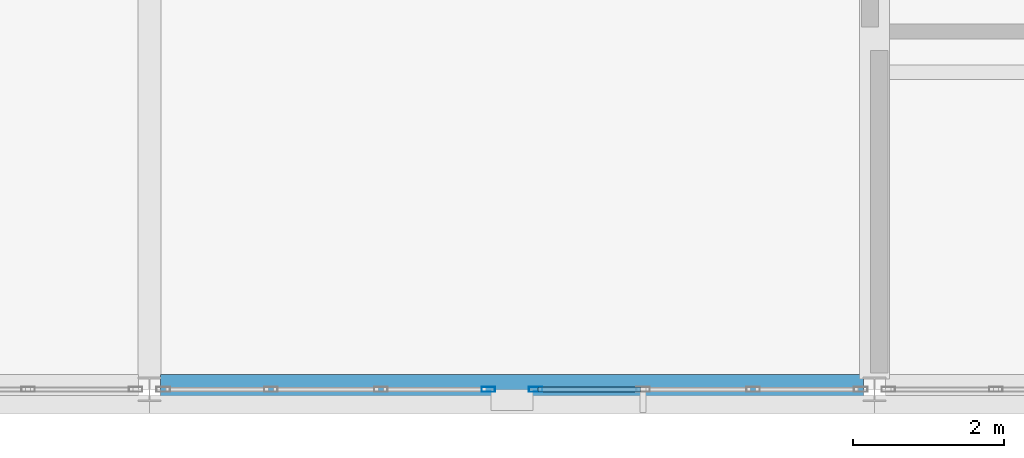
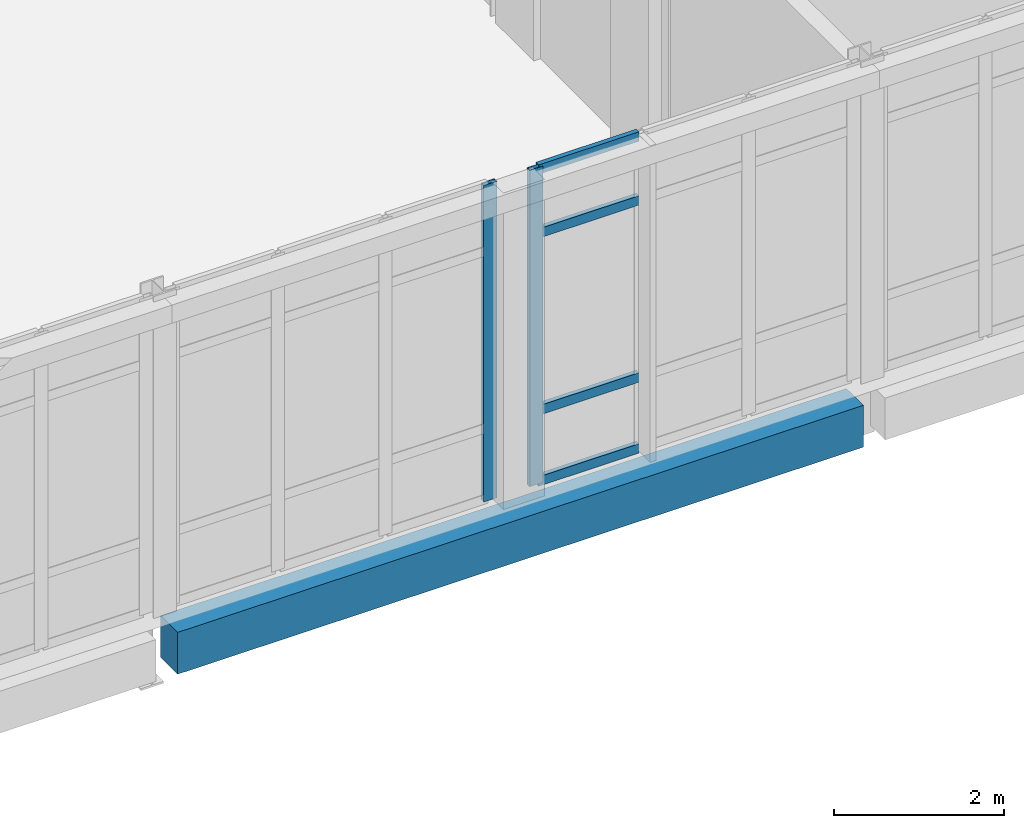
# One storey, part 8 of 88: 6 members, 1 beam, 2 elements without a shape of their own.
"""IFC4 building model written with IfcOpenShell, lengths in metres."""

import ifcopenshell
import ifcopenshell.guid

model = None  # the IFC model being written
_history = None  # IfcOwnerHistory: only IFC2X3 demands one
_inside = {}  # id of a spatial element -> (the spatial element, [elements in it])
_under = {}  # id of a project, library or spatial element -> (it, [spatial elements below it])
_declared = {}  # id of a project -> (the project, [libraries it declares])
_typed = {}  # id of a type object -> (the type object, [elements of that type])
_made_of = {}  # id of a material, layer set ... -> (it, [elements and type objects made of it])


def new_model(schema):
    """Start an empty IFC model of exactly this schema.

    Asked for "IFC4X3", IfcOpenShell would pick the latest addendum, in which some entities
    have other attributes; the version numbers below select the first issue.
    IFC2X3 requires an IfcOwnerHistory on every rooted entity: one is made here for all.
    """
    global model, _history
    if schema == "IFC4X3":
        model = ifcopenshell.file(schema_version=(4, 3, 0, 0))
    else:
        model = ifcopenshell.file(schema=schema)
    _inside.clear()
    _under.clear()
    _declared.clear()
    _typed.clear()
    _made_of.clear()
    _history = None
    if model.schema == "IFC2X3":
        org = make("IfcOrganization", Name="unknown")
        user = make(
            "IfcPersonAndOrganization",
            ThePerson=make("IfcPerson", FamilyName="unknown"),
            TheOrganization=org,
        )
        app = make(
            "IfcApplication",
            ApplicationDeveloper=org,
            Version="unknown",
            ApplicationFullName="unknown",
            ApplicationIdentifier="unknown",
        )
        _history = make(
            "IfcOwnerHistory",
            OwningUser=user,
            OwningApplication=app,
            ChangeAction="ADDED",
            CreationDate=0,
        )
    return model


def make(cls, **values):
    """One entity of the class cls with the attributes given. An attribute that is None is left unset."""
    return model.create_entity(
        cls, **{name: value for name, value in values.items() if value is not None}
    )


def rooted(cls, **values):
    """An entity with a GlobalId (a new one), such as an element, a storey or a relation."""
    return make(cls, GlobalId=ifcopenshell.guid.new(), OwnerHistory=_history, **values)


def si_unit(unit_type, name, prefix=None):
    """IfcSIUnit, for example si_unit("LENGTHUNIT", "METRE", prefix="MILLI")."""
    return make("IfcSIUnit", UnitType=unit_type, Prefix=prefix, Name=name)


def assignment(units):
    """IfcUnitAssignment: the units of a project."""
    return None if units is None else make("IfcUnitAssignment", Units=units)


def point(xyz):
    """IfcCartesianPoint."""
    return None if xyz is None else make("IfcCartesianPoint", Coordinates=xyz)


def direction(xyz):
    """IfcDirection."""
    return None if xyz is None else make("IfcDirection", DirectionRatios=xyz)


def frame(location, z_axis=None, x_axis=None):
    """IfcAxis2Placement3D, a coordinate frame: its origin and axes. An axis left out is left unset."""
    return make(
        "IfcAxis2Placement3D",
        Location=point(location),
        Axis=direction(z_axis),
        RefDirection=direction(x_axis),
    )


def frame_2d(location, x_axis=None):
    """IfcAxis2Placement2D, a coordinate frame in the plane: its origin and x axis."""
    return make(
        "IfcAxis2Placement2D", Location=point(location), RefDirection=direction(x_axis)
    )


def origin():
    """The frame at (0, 0, 0) with its axes left unset."""
    return frame((0.0, 0.0, 0.0))


def origin_2d():
    """The frame at (0, 0) in the plane with its x axis left unset."""
    return frame_2d((0.0, 0.0))


def place(relative_to, where):
    """IfcLocalPlacement: puts the frame where relative to a parent placement (None: the world)."""
    return make(
        "IfcLocalPlacement", PlacementRelTo=relative_to, RelativePlacement=where
    )


def context(
    kind, dimensions, precision=None, world=None, true_north=None, identifier=None
):
    """IfcGeometricRepresentationContext, for example the 3D "Model" context."""
    return make(
        "IfcGeometricRepresentationContext",
        ContextIdentifier=identifier,
        ContextType=kind,
        CoordinateSpaceDimension=dimensions,
        Precision=precision,
        WorldCoordinateSystem=world,
        TrueNorth=true_north,
    )


def subcontext(parent, identifier, kind, view, scale=None):
    """IfcGeometricRepresentationSubContext, for example "Body" below "Model"."""
    return make(
        "IfcGeometricRepresentationSubContext",
        ContextIdentifier=identifier,
        ContextType=kind,
        ParentContext=parent,
        TargetScale=scale,
        TargetView=view,
    )


def project(units=None, contexts=None):
    """IfcProject with its units and contexts."""
    return rooted(
        "IfcProject",
        Name="project",
        RepresentationContexts=contexts,
        UnitsInContext=assignment(units),
    )


def spatial(cls, under=None, at=None, **own):
    """A site, building, storey or space (cls), placed at a placement, below another one or the project."""
    s = rooted(cls, ObjectPlacement=at, **own)
    if under is not None:
        _under.setdefault(under.id(), (under, []))[1].append(s)
    return s


def profile(cls, at=None, kind="AREA", **sizes):
    """A parametric profile (cls). Its sizes go by their IFC names, for example OverallWidth=200.0."""
    return make(cls, ProfileType=kind, Position=at, **sizes)


def rectangle(**sizes):
    """IfcRectangleProfileDef."""
    return profile("IfcRectangleProfileDef", **sizes)


def hollow_rectangle(**sizes):
    """IfcRectangleHollowProfileDef."""
    return profile("IfcRectangleHollowProfileDef", **sizes)


def extrude(swept, where, along, depth):
    """IfcExtrudedAreaSolid: the profile swept, set in the frame where, extruded along a direction by depth."""
    return make(
        "IfcExtrudedAreaSolid",
        SweptArea=swept,
        Position=where,
        ExtrudedDirection=direction(along),
        Depth=depth,
    )


def shape(context_of_items, identifier, shape_type, items):
    """IfcShapeRepresentation: the items that make up one representation, for example the "Body"."""
    return make(
        "IfcShapeRepresentation",
        ContextOfItems=context_of_items,
        RepresentationIdentifier=identifier,
        RepresentationType=shape_type,
        Items=items,
    )


def material(Name=None, Category=None):
    """IfcMaterial."""
    return make("IfcMaterial", Name=Name, Category=Category)


def layer(
    of_material, thickness, ventilated=None, Name=None, Category=None, Priority=None
):
    """IfcMaterialLayer: one layer of a wall or slab, of a material (None: an air gap)."""
    return make(
        "IfcMaterialLayer",
        Material=of_material,
        LayerThickness=thickness,
        IsVentilated=ventilated,
        Name=Name,
        Category=Category,
        Priority=Priority,
    )


def layer_set(layers, Name=None):
    """IfcMaterialLayerSet."""
    return make("IfcMaterialLayerSet", MaterialLayers=layers, LayerSetName=Name)


def material_profile(
    of_material, cross_section, Name=None, Category=None, Priority=None
):
    """IfcMaterialProfile: a cross section and its material."""
    return make(
        "IfcMaterialProfile",
        Name=Name,
        Material=of_material,
        Profile=cross_section,
        Priority=Priority,
        Category=Category,
    )


def profile_set(profiles, Name=None, composite=None):
    """IfcMaterialProfileSet."""
    return make(
        "IfcMaterialProfileSet",
        Name=Name,
        MaterialProfiles=profiles,
        CompositeProfile=composite,
    )


def made_of(thing, what):
    """Note that an element or type object is made of a material, layer set ...; save() writes the relation."""
    if what is not None:
        _made_of.setdefault(what.id(), (what, []))[1].append(thing)
    return thing


def type_object(cls, material=None, **own):
    """A type object (cls), such as IfcWallType, which elements share."""
    return made_of(rooted(cls, **own), material)


def element(
    cls,
    number,
    at=None,
    inside=None,
    cuts=None,
    type_object=None,
    material=None,
    context=None,
    identifier="Body",
    shape_type=None,
    held_by="IfcProductDefinitionShape",
    body=None,
    shapes=None,
    **own,
):
    """One element of the class cls, such as IfcWall. Its Tag is "e" and its number.

    at: its placement. inside: the storey or other place that contains it. cuts: it is an
    opening in that element (IfcRelVoidsElement). A single representation is given by context,
    identifier, shape_type and body (its items); several are given by shapes. held_by: the class
    of the entity that holds the representations. save() writes the other relations.
    """
    e = rooted(cls, Tag="e%d" % number, ObjectPlacement=at, **own)
    if body is not None:
        shapes = [shape(context, identifier, shape_type, body)]
    if shapes is not None:
        e.Representation = make(held_by, Representations=shapes)
    if inside is not None:
        _inside.setdefault(inside.id(), (inside, []))[1].append(e)
    if cuts is not None:
        rooted(
            "IfcRelVoidsElement", RelatingBuildingElement=cuts, RelatedOpeningElement=e
        )
    if type_object is not None:
        _typed.setdefault(type_object.id(), (type_object, []))[1].append(e)
    return made_of(e, material)


def aggregate(whole, parts):
    """IfcRelAggregates: a whole, such as a stair, and the parts it consists of."""
    return rooted("IfcRelAggregates", RelatingObject=whole, RelatedObjects=parts)


def save(model, path):
    """Write the relations noted so far, then the file.

    IfcRelAggregates (storeys below a building ...), IfcRelContainedInSpatialStructure (elements
    in a storey), IfcRelDefinesByType, IfcRelAssociatesMaterial and IfcRelDeclares: one each for
    every whole, place, type object, material and project.
    """
    for whole, parts in _under.values():
        aggregate(whole, parts)
    for where, things in _inside.values():
        rooted(
            "IfcRelContainedInSpatialStructure",
            RelatedElements=things,
            RelatingStructure=where,
        )
    for kind, things in _typed.values():
        rooted("IfcRelDefinesByType", RelatedObjects=things, RelatingType=kind)
    for what, things in _made_of.values():
        rooted("IfcRelAssociatesMaterial", RelatedObjects=things, RelatingMaterial=what)
    for by, libraries in _declared.values():
        rooted("IfcRelDeclares", RelatingContext=by, RelatedDefinitions=libraries)
    model.write(path)


model = new_model("IFC4")

# Units and contexts
model_context = context("Model", 3, precision=1e-05, world=origin(), true_north=direction((0.0, 1.0)))
body_context = subcontext(model_context, "Body", "Model", "MODEL_VIEW")
ifc_project = project(units=[si_unit("LENGTHUNIT", "METRE"), si_unit("AREAUNIT", "SQUARE_METRE"), si_unit("VOLUMEUNIT", "CUBIC_METRE"), si_unit("PLANEANGLEUNIT", "RADIAN"), si_unit("MASSUNIT", "GRAM", prefix="KILO")], contexts=[model_context])

# Site, building, storey
site_placement = place(None, origin())
site = spatial("IfcSite", under=ifc_project, at=site_placement, CompositionType="ELEMENT")
building_placement = place(site_placement, origin())
building = spatial("IfcBuilding", under=site, at=building_placement, Name="Lornevale Opera House", CompositionType="ELEMENT")
storey_placement = place(building_placement, frame((0.0, 0.0, 10.199951171875)))
storey = spatial("IfcBuildingStorey", under=building, at=storey_placement, Name="L03", CompositionType="ELEMENT", Elevation=10.199951171875)

# Beam
ifc_material_1 = material(Name="Concrete 35 MPa (CSA A23.1 N)", Category="concrete")
ifc_material_profile_1 = material_profile(ifc_material_1, rectangle(XDim=0.39990234375, YDim=0.60009765625, at=origin_2d()), Name="RC400x600")
ifc_profile_set_1 = profile_set([ifc_material_profile_1], Name="Concrete 35 MPa (CSA A23.1 N)")
beam_type = type_object("IfcBeamType", Name="Concrete Spandrel Beam 400x600", PredefinedType="SPANDREL", material=ifc_profile_set_1)
beam_placement = place(storey_placement, frame((9.7470703125, 0.0, -0.579833984375), z_axis=(1.0, 0.0, 0.0), x_axis=(0.0, 1.0, 0.0)))
element("IfcBeam", 1, at=beam_placement, inside=storey, type_object=beam_type, Name="Concrete Spandrel Beam 400x600 2083", PredefinedType="SPANDREL", context=body_context, shape_type="SweptSolid", body=[
    extrude(rectangle(XDim=0.39990234375, YDim=0.60009765625, at=origin_2d()), origin(), (0.0, 0.0, 1.0), 9.305908203125),
])

# Curtain wall, member
ifc_material_2 = material(Name="Anodized Oxide-Green Aluminium Framing", Category="aluminium")
ifc_layer = layer(ifc_material_2, 0.175048828125)
ifc_layer_set = layer_set([ifc_layer], Name="Anodized Oxide-Green Aluminium Framing")
curtain_wall_type = type_object("IfcCurtainWallType", Name="Chamber Cloister Curtain Wall M1700", PredefinedType="NOTDEFINED", material=ifc_layer_set)
curtain_wall_1_placement = place(storey_placement, origin())
curtain_wall_1 = element("IfcCurtainWall", 2, at=curtain_wall_1_placement, inside=storey, type_object=curtain_wall_type, Name="Chamber Cloister Curtain Wall M1700 CW-100", PredefinedType="NOTDEFINED")
ifc_material_profile_2 = material_profile(ifc_material_2, hollow_rectangle(XDim=0.06494140625, YDim=0.179931640625, WallThickness=0.0048828125, at=origin_2d()), Name="ALU65x180x5")
ifc_profile_set_2 = profile_set([ifc_material_profile_2], Name="Anodized Oxide-Green Aluminium Framing")
member_type_1 = type_object("IfcMemberType", Name="Curtain Wall Mullion 65x180", PredefinedType="MULLION", material=ifc_profile_set_2)
member_1_placement = place(storey_placement, frame((14.71240234375, 0.0, 0.0), z_axis=(0.0, 0.0, 1.0), x_axis=(0.0, -1.0, 0.0)))
member_1 = element("IfcMember", 3, at=member_1_placement, type_object=member_type_1, Name="Curtain Wall Mullion 65x180 CW2023", PredefinedType="MULLION", context=body_context, shape_type="SweptSolid", body=[
    extrude(hollow_rectangle(XDim=0.06494140625, YDim=0.179931640625, WallThickness=0.0048828125, at=origin_2d()), origin(), (0.0, 0.0, 1.0), 4.5400390625),
])

curtain_wall_2_placement = place(storey_placement, origin())
curtain_wall_2 = element("IfcCurtainWall", 4, at=curtain_wall_2_placement, inside=storey, type_object=curtain_wall_type, Name="Chamber Cloister Curtain Wall M1700 CW-101", PredefinedType="NOTDEFINED")
member_2_placement = place(storey_placement, frame((14.08740234375, 0.0, 0.0), z_axis=(0.0, 0.0, 1.0), x_axis=(0.0, -1.0, 0.0)))
member_2 = element("IfcMember", 5, at=member_2_placement, type_object=member_type_1, Name="Curtain Wall Mullion 65x180 CW2045", PredefinedType="MULLION", context=body_context, shape_type="SweptSolid", body=[
    extrude(hollow_rectangle(XDim=0.06494140625, YDim=0.179931640625, WallThickness=0.0048828125, at=origin_2d()), origin(), (0.0, 0.0, 1.0), 4.5400390625),
])
aggregate(curtain_wall_2, [member_2])

# Member
ifc_material_profile_3 = material_profile(ifc_material_2, hollow_rectangle(XDim=0.06494140625, YDim=0.135009765625, WallThickness=0.00390625, at=origin_2d()), Name="ALU65x135x4")
ifc_profile_set_3 = profile_set([ifc_material_profile_3], Name="Anodized Oxide-Green Aluminium Framing")
member_type_2 = type_object("IfcMemberType", Name="Curtain Wall Transom 65x135", PredefinedType="USERDEFINED", material=ifc_profile_set_3)
member_3_placement = place(storey_placement, frame((16.10400390625, 0.0, 0.032470703125), z_axis=(-1.0, 0.0, 0.0), x_axis=(0.0, -1.0, 0.0)))
member_3 = element("IfcMember", 6, at=member_3_placement, type_object=member_type_2, Name="Curtain Wall Transom 65x135 CW2038", ObjectType="TRANSOM", PredefinedType="USERDEFINED", context=body_context, shape_type="SweptSolid", body=[
    extrude(hollow_rectangle(XDim=0.06494140625, YDim=0.135009765625, WallThickness=0.00390625, at=origin_2d()), origin(), (0.0, 0.0, 1.0), 1.35888671875),
])

member_4_placement = place(storey_placement, frame((16.10400390625, 0.0, 1.050048828125), z_axis=(-1.0, 0.0, 0.0), x_axis=(0.0, -1.0, 0.0)))
member_4 = element("IfcMember", 7, at=member_4_placement, type_object=member_type_2, Name="Curtain Wall Transom 65x135 CW2039", ObjectType="TRANSOM", PredefinedType="USERDEFINED", context=body_context, shape_type="SweptSolid", body=[
    extrude(hollow_rectangle(XDim=0.06494140625, YDim=0.135009765625, WallThickness=0.00390625, at=origin_2d()), origin(), (0.0, 0.0, 1.0), 1.35888671875),
])

member_5_placement = place(storey_placement, frame((16.10400390625, 0.0, 3.590087890625), z_axis=(-1.0, 0.0, 0.0), x_axis=(0.0, -1.0, 0.0)))
member_5 = element("IfcMember", 8, at=member_5_placement, type_object=member_type_2, Name="Curtain Wall Transom 65x135 CW2040", ObjectType="TRANSOM", PredefinedType="USERDEFINED", context=body_context, shape_type="SweptSolid", body=[
    extrude(hollow_rectangle(XDim=0.06494140625, YDim=0.135009765625, WallThickness=0.00390625, at=origin_2d()), origin(), (0.0, 0.0, 1.0), 1.35888671875),
])

member_6_placement = place(storey_placement, frame((16.10400390625, 0.0, 4.507568359375), z_axis=(-1.0, 0.0, 0.0), x_axis=(0.0, -1.0, 0.0)))
member_6 = element("IfcMember", 9, at=member_6_placement, type_object=member_type_2, Name="Curtain Wall Transom 65x135 CW2041", ObjectType="TRANSOM", PredefinedType="USERDEFINED", context=body_context, shape_type="SweptSolid", body=[
    extrude(hollow_rectangle(XDim=0.06494140625, YDim=0.135009765625, WallThickness=0.00390625, at=origin_2d()), origin(), (0.0, 0.0, 1.0), 1.35888671875),
])

aggregate(curtain_wall_1, [member_1, member_3, member_4, member_5, member_6])

save(model, "model.ifc")
